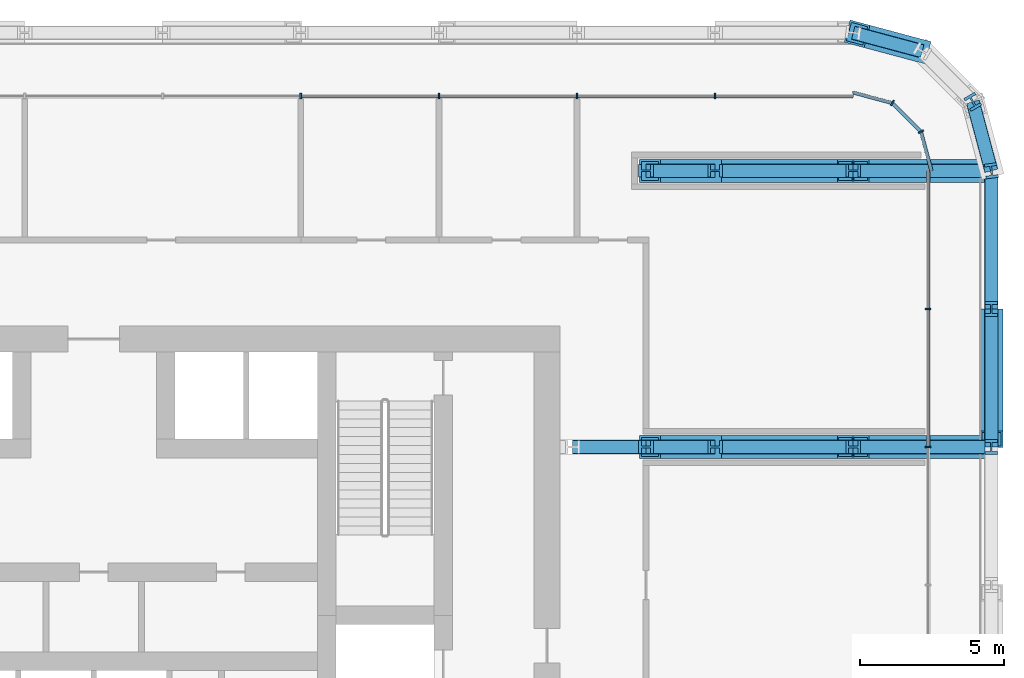
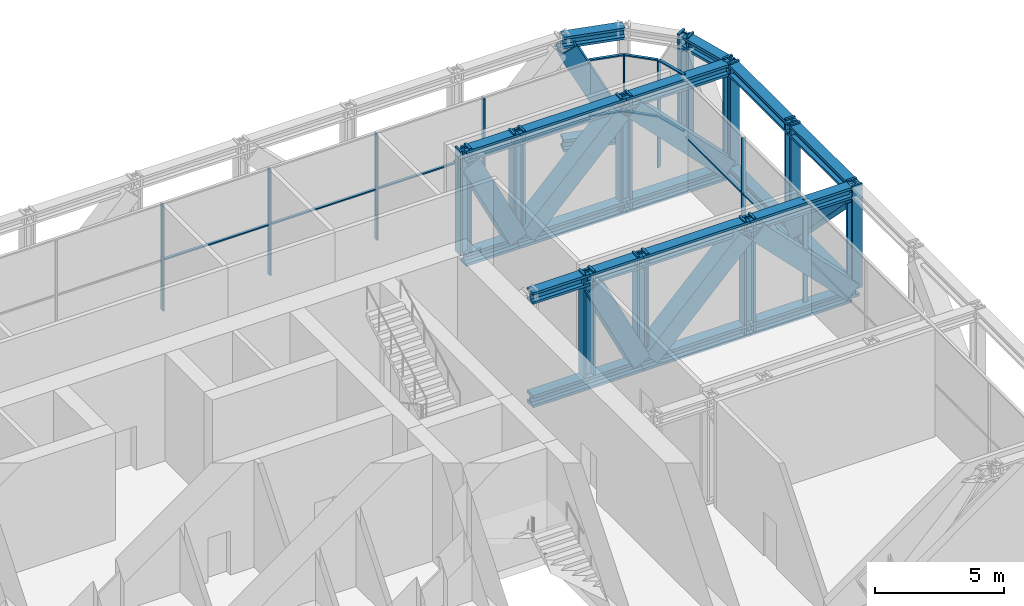
# One storey, part 16 of 30: 60 members, 3 elements without a shape of their own.
"""IFC4 building model written with IfcOpenShell, lengths in metres."""

from ifc_helpers import new_model, si_unit, direction, frame, origin, origin_2d, place, context, subcontext, project, spatial, rectangle, hollow_rectangle, i_section, extrude, material, layer, layer_set, material_profile, profile_set, type_object, element, aggregate, save


model = new_model("IFC4")

# Units and contexts
model_context = context("Model", 3, precision=1e-05, world=origin(), true_north=direction((0.0, 1.0)))
body_context = subcontext(model_context, "Body", "Model", "MODEL_VIEW")
ifc_project = project(units=[si_unit("LENGTHUNIT", "METRE"), si_unit("AREAUNIT", "SQUARE_METRE"), si_unit("VOLUMEUNIT", "CUBIC_METRE"), si_unit("PLANEANGLEUNIT", "RADIAN"), si_unit("MASSUNIT", "GRAM", prefix="KILO")], contexts=[model_context])

# Site, building, storey
site_placement = place(None, origin())
site = spatial("IfcSite", under=ifc_project, at=site_placement, CompositionType="ELEMENT")
building_placement = place(site_placement, origin())
building = spatial("IfcBuilding", under=site, at=building_placement, Name="Madar Terraces", CompositionType="ELEMENT")
storey_placement = place(building_placement, frame((0.0, 0.0, 53.89990234375)))
storey = spatial("IfcBuildingStorey", under=building, at=storey_placement, Name="L13", CompositionType="ELEMENT", Elevation=53.89990234375)

# Members
ifc_material_1 = material(Name="Steel ASTM A913 Grade 65", Category="steel")
ifc_material_profile_1 = material_profile(ifc_material_1, i_section(OverallWidth=0.472412109375, OverallDepth=0.5791015625, WebThickness=0.094970703125, FlangeThickness=0.130126953125, at=origin_2d()), Name="W14x808")
ifc_profile_set_1 = profile_set([ifc_material_profile_1], Name="Steel ASTM A913 Grade 65")
member_type_1 = type_object("IfcMemberType", Name="BC2 W14x808", PredefinedType="CHORD", material=ifc_profile_set_1)
member_1_placement = place(storey_placement, frame((62.39990234375, 33.60009765625, -0.13037109375), z_axis=(0.0, 1.0, 0.0), x_axis=(-1.0, 0.0, 0.0)))
element("IfcMember", 1, at=member_1_placement, inside=storey, type_object=member_type_1, Name="Exoskeleton truss ring bottom chord BC2", PredefinedType="CHORD", context=body_context, shape_type="SweptSolid", body=[
    extrude(i_section(OverallWidth=0.472412109375, OverallDepth=0.5791015625, WebThickness=0.094970703125, FlangeThickness=0.130126953125, at=origin_2d()), origin(), (0.0, 0.0, 1.0), 4.7998046875),
])
member_2_placement = place(storey_placement, frame((62.39990234375, 38.39990234375, -0.13037109375), z_axis=(0.0, 1.0, 0.0), x_axis=(-1.0, 0.0, 0.0)))
element("IfcMember", 2, at=member_2_placement, inside=storey, type_object=member_type_1, Name="Exoskeleton truss ring bottom chord BC2", PredefinedType="CHORD", context=body_context, shape_type="SweptSolid", body=[
    extrude(i_section(OverallWidth=0.472412109375, OverallDepth=0.5791015625, WebThickness=0.094970703125, FlangeThickness=0.130126953125, at=origin_2d()), origin(), (0.0, 0.0, 1.0), 4.800048828125),
])
member_3_placement = place(storey_placement, frame((62.39990234375, 43.199951171875, -0.13037109375), z_axis=(-0.258799930484, 0.965930947833, 0.0), x_axis=(-0.965930947833, -0.258799930484, 0.0)))
element("IfcMember", 3, at=member_3_placement, inside=storey, type_object=member_type_1, Name="Exoskeleton truss ring bottom chord BC2", PredefinedType="CHORD", context=body_context, shape_type="SweptSolid", body=[
    extrude(i_section(OverallWidth=0.472412109375, OverallDepth=0.5791015625, WebThickness=0.094970703125, FlangeThickness=0.130126953125, at=origin_2d()), origin(), (0.0, 0.0, 1.0), 2.48486328125),
])
member_4_placement = place(storey_placement, frame((60.0, 47.35693359375, -0.13037109375), z_axis=(-0.965924366126, 0.258824494443, 0.0), x_axis=(-0.258824494443, -0.965924366126, 0.0)))
element("IfcMember", 4, at=member_4_placement, inside=storey, type_object=member_type_1, Name="Exoskeleton truss ring bottom chord BC2", PredefinedType="CHORD", context=body_context, shape_type="SweptSolid", body=[
    extrude(i_section(OverallWidth=0.472412109375, OverallDepth=0.5791015625, WebThickness=0.094970703125, FlangeThickness=0.130126953125, at=origin_2d()), origin(), (0.0, 0.0, 1.0), 2.484619140625),
])
member_5_placement = place(storey_placement, frame((62.163818359375, 33.60009765625, -0.13037109375), z_axis=(-1.0, 0.0, 0.0), x_axis=(0.0, -1.0, 0.0)))
element("IfcMember", 5, at=member_5_placement, inside=storey, type_object=member_type_1, Name="Exoskeleton truss cross E33.6 bottom chord BC2", PredefinedType="CHORD", context=body_context, shape_type="SweptSolid", body=[
    extrude(i_section(OverallWidth=0.472412109375, OverallDepth=0.5791015625, WebThickness=0.094970703125, FlangeThickness=0.130126953125, at=origin_2d()), origin(), (0.0, 0.0, 1.0), 4.563720703125),
])
member_6_placement = place(storey_placement, frame((57.60009765625, 33.60009765625, -0.13037109375), z_axis=(-1.0, 0.0, 0.0), x_axis=(0.0, -1.0, 0.0)))
element("IfcMember", 6, at=member_6_placement, inside=storey, type_object=member_type_1, Name="Exoskeleton truss cross E33.6 bottom chord BC2", PredefinedType="CHORD", context=body_context, shape_type="SweptSolid", body=[
    extrude(i_section(OverallWidth=0.472412109375, OverallDepth=0.5791015625, WebThickness=0.094970703125, FlangeThickness=0.130126953125, at=origin_2d()), origin(), (0.0, 0.0, 1.0), 4.800048828125),
])
member_7_placement = place(storey_placement, frame((52.800048828125, 33.60009765625, -0.13037109375), z_axis=(-1.0, 0.0, 0.0), x_axis=(0.0, -1.0, 0.0)))
element("IfcMember", 7, at=member_7_placement, inside=storey, type_object=member_type_1, Name="Exoskeleton truss cross E33.6 bottom chord BC2", PredefinedType="CHORD", context=body_context, shape_type="SweptSolid", body=[
    extrude(i_section(OverallWidth=0.472412109375, OverallDepth=0.5791015625, WebThickness=0.094970703125, FlangeThickness=0.130126953125, at=origin_2d()), origin(), (0.0, 0.0, 1.0), 2.400146484375),
])
member_8_placement = place(storey_placement, frame((50.39990234375, 33.60009765625, -0.13037109375), z_axis=(-1.0, 0.0, 0.0), x_axis=(0.0, -1.0, 0.0)))
element("IfcMember", 8, at=member_8_placement, inside=storey, type_object=member_type_1, Name="Exoskeleton truss cross E33.6 bottom chord BC2", PredefinedType="CHORD", context=body_context, shape_type="SweptSolid", body=[
    extrude(i_section(OverallWidth=0.472412109375, OverallDepth=0.5791015625, WebThickness=0.094970703125, FlangeThickness=0.130126953125, at=origin_2d()), origin(), (0.0, 0.0, 1.0), 2.5498046875),
])
member_9_placement = place(storey_placement, frame((62.163818359375, 43.199951171875, -0.13037109375), z_axis=(-1.0, 0.0, 0.0), x_axis=(0.0, -1.0, 0.0)))
element("IfcMember", 9, at=member_9_placement, inside=storey, type_object=member_type_1, Name="Exoskeleton truss cross E43.2 bottom chord BC2", PredefinedType="CHORD", context=body_context, shape_type="SweptSolid", body=[
    extrude(i_section(OverallWidth=0.472412109375, OverallDepth=0.5791015625, WebThickness=0.094970703125, FlangeThickness=0.130126953125, at=origin_2d()), origin(), (0.0, 0.0, 1.0), 4.563720703125),
])
member_10_placement = place(storey_placement, frame((57.60009765625, 43.199951171875, -0.13037109375), z_axis=(-1.0, 0.0, 0.0), x_axis=(0.0, -1.0, 0.0)))
element("IfcMember", 10, at=member_10_placement, inside=storey, type_object=member_type_1, Name="Exoskeleton truss cross E43.2 bottom chord BC2", PredefinedType="CHORD", context=body_context, shape_type="SweptSolid", body=[
    extrude(i_section(OverallWidth=0.472412109375, OverallDepth=0.5791015625, WebThickness=0.094970703125, FlangeThickness=0.130126953125, at=origin_2d()), origin(), (0.0, 0.0, 1.0), 4.800048828125),
])
member_11_placement = place(storey_placement, frame((52.800048828125, 43.199951171875, -0.13037109375), z_axis=(-1.0, 0.0, 0.0), x_axis=(0.0, -1.0, 0.0)))
element("IfcMember", 11, at=member_11_placement, inside=storey, type_object=member_type_1, Name="Exoskeleton truss cross E43.2 bottom chord BC2", PredefinedType="CHORD", context=body_context, shape_type="SweptSolid", body=[
    extrude(i_section(OverallWidth=0.472412109375, OverallDepth=0.5791015625, WebThickness=0.094970703125, FlangeThickness=0.130126953125, at=origin_2d()), origin(), (0.0, 0.0, 1.0), 2.400146484375),
])

# Curtain wall, members
ifc_material_2 = material(Name="Glass, ceramic frit dark grey, with black aluminium frame", Category="aluminium")
ifc_layer = layer(ifc_material_2, 0.199951171875)
ifc_layer_set = layer_set([ifc_layer], Name="Facade curtain wall, tall glazing")
curtain_wall_type = type_object("IfcCurtainWallType", Name="Facade curtain wall, tall glazing", PredefinedType="NOTDEFINED", material=ifc_layer_set)
curtain_wall_1_placement = place(storey_placement, origin())
curtain_wall_1 = element("IfcCurtainWall", 12, at=curtain_wall_1_placement, inside=storey, type_object=curtain_wall_type, Name="Outer skin curtain wall east bay 1", PredefinedType="NOTDEFINED")
ifc_material_3 = material(Name="Aluminium, black anodised", Category="aluminium")
ifc_material_profile_2 = material_profile(ifc_material_3, rectangle(XDim=0.199951171875, YDim=0.06005859375, at=origin_2d()), Name="Facade mullion 60x200")
ifc_profile_set_2 = profile_set([ifc_material_profile_2], Name="Aluminium, black anodised")
member_type_2 = type_object("IfcMemberType", Name="Facade mullion 60x200", PredefinedType="MULLION", material=ifc_profile_set_2)
member_12_placement = place(storey_placement, frame((60.199951171875, 33.60009765625, 0.0), z_axis=(0.0, 0.0, 1.0), x_axis=(-1.0, 0.0, 0.0)))
member_12 = element("IfcMember", 13, at=member_12_placement, type_object=member_type_2, Name="Mullion 6", PredefinedType="MULLION", context=body_context, shape_type="SweptSolid", body=[
    extrude(rectangle(XDim=0.199951171875, YDim=0.06005859375, at=origin_2d()), origin(), (0.0, 0.0, 1.0), 5.0400390625),
])
member_13_placement = place(storey_placement, frame((60.199951171875, 38.39990234375, 0.0), z_axis=(0.0, 0.0, 1.0), x_axis=(-1.0, 0.0, 0.0)))
member_13 = element("IfcMember", 14, at=member_13_placement, type_object=member_type_2, Name="Mullion 7", PredefinedType="MULLION", context=body_context, shape_type="SweptSolid", body=[
    extrude(rectangle(XDim=0.199951171875, YDim=0.06005859375, at=origin_2d()), origin(), (0.0, 0.0, 1.0), 5.0400390625),
])

curtain_wall_2_placement = place(storey_placement, origin())
curtain_wall_2 = element("IfcCurtainWall", 15, at=curtain_wall_2_placement, inside=storey, type_object=curtain_wall_type, Name="Outer skin curtain wall north bay 1", PredefinedType="NOTDEFINED")
member_14_placement = place(storey_placement, frame((52.800048828125, 45.800048828125, 0.0), z_axis=(0.0, 0.0, 1.0), x_axis=(0.0, -1.0, 0.0)))
member_14 = element("IfcMember", 16, at=member_14_placement, type_object=member_type_2, Name="Mullion 1", PredefinedType="MULLION", context=body_context, shape_type="SweptSolid", body=[
    extrude(rectangle(XDim=0.199951171875, YDim=0.06005859375, at=origin_2d()), origin(), (0.0, 0.0, 1.0), 5.0400390625),
])
member_15_placement = place(storey_placement, frame((48.0, 45.800048828125, 0.0), z_axis=(0.0, 0.0, 1.0), x_axis=(0.0, -1.0, 0.0)))
member_15 = element("IfcMember", 17, at=member_15_placement, type_object=member_type_2, Name="Mullion 2", PredefinedType="MULLION", context=body_context, shape_type="SweptSolid", body=[
    extrude(rectangle(XDim=0.199951171875, YDim=0.06005859375, at=origin_2d()), origin(), (0.0, 0.0, 1.0), 5.0400390625),
])
member_16_placement = place(storey_placement, frame((43.199951171875, 45.800048828125, 0.0), z_axis=(0.0, 0.0, 1.0), x_axis=(0.0, -1.0, 0.0)))
member_16 = element("IfcMember", 18, at=member_16_placement, type_object=member_type_2, Name="Mullion 3", PredefinedType="MULLION", context=body_context, shape_type="SweptSolid", body=[
    extrude(rectangle(XDim=0.199951171875, YDim=0.06005859375, at=origin_2d()), origin(), (0.0, 0.0, 1.0), 5.0400390625),
])
member_17_placement = place(storey_placement, frame((38.39990234375, 45.800048828125, 0.0), z_axis=(0.0, 0.0, 1.0), x_axis=(0.0, -1.0, 0.0)))
member_17 = element("IfcMember", 19, at=member_17_placement, type_object=member_type_2, Name="Mullion 4", PredefinedType="MULLION", context=body_context, shape_type="SweptSolid", body=[
    extrude(rectangle(XDim=0.199951171875, YDim=0.06005859375, at=origin_2d()), origin(), (0.0, 0.0, 1.0), 5.0400390625),
])

curtain_wall_3_placement = place(storey_placement, origin())
curtain_wall_3 = element("IfcCurtainWall", 20, at=curtain_wall_3_placement, inside=storey, type_object=curtain_wall_type, Name="Outer skin curtain wall north-east corner", PredefinedType="NOTDEFINED")
member_18_placement = place(storey_placement, frame((59.95556640625, 44.56005859375, 0.0), z_axis=(0.0, 0.0, 1.0), x_axis=(-0.866025386925, -0.500000029202, 0.0)))
member_18 = element("IfcMember", 21, at=member_18_placement, type_object=member_type_2, Name="Mullion 1", PredefinedType="MULLION", context=body_context, shape_type="SweptSolid", body=[
    extrude(rectangle(XDim=0.199951171875, YDim=0.06005859375, at=origin_2d()), origin(), (0.0, 0.0, 1.0), 5.0400390625),
])
member_19_placement = place(storey_placement, frame((58.9599609375, 45.5556640625, 0.0), z_axis=(0.0, 0.0, 1.0), x_axis=(-0.500000029202, -0.866025386925, 0.0)))
member_19 = element("IfcMember", 22, at=member_19_placement, type_object=member_type_2, Name="Mullion 2", PredefinedType="MULLION", context=body_context, shape_type="SweptSolid", body=[
    extrude(rectangle(XDim=0.199951171875, YDim=0.06005859375, at=origin_2d()), origin(), (0.0, 0.0, 1.0), 5.0400390625),
])

# Member
ifc_material_4 = material(Name="Aluminium, black anodised", Category="aluminium")
ifc_material_profile_3 = material_profile(ifc_material_4, rectangle(XDim=0.1201171875, YDim=0.06005859375, at=origin_2d()), Name="Facade transom 60x120")
ifc_profile_set_3 = profile_set([ifc_material_profile_3], Name="Aluminium, black anodised")
member_type_3 = type_object("IfcMemberType", Name="Facade transom 60x120", PredefinedType="USERDEFINED", material=ifc_profile_set_3)
member_20_placement = place(storey_placement, frame((60.199951171875, 33.6298828125, 2.400146484375), z_axis=(0.0, 1.0, 0.0), x_axis=(-1.0, 0.0, 0.0)))
member_20 = element("IfcMember", 23, at=member_20_placement, type_object=member_type_3, Name="Transom 8", ObjectType="TRANSOM", PredefinedType="USERDEFINED", context=body_context, shape_type="SweptSolid", body=[
    extrude(rectangle(XDim=0.1201171875, YDim=0.06005859375, at=origin_2d()), origin(), (0.0, 0.0, 1.0), 4.740234375),
])

member_21_placement = place(storey_placement, frame((60.199951171875, 38.429931640625, 2.400146484375), z_axis=(0.0, 1.0, 0.0), x_axis=(-1.0, 0.0, 0.0)))
member_21 = element("IfcMember", 24, at=member_21_placement, type_object=member_type_3, Name="Transom 9", ObjectType="TRANSOM", PredefinedType="USERDEFINED", context=body_context, shape_type="SweptSolid", body=[
    extrude(rectangle(XDim=0.1201171875, YDim=0.06005859375, at=origin_2d()), origin(), (0.0, 0.0, 1.0), 4.77001953125),
])

aggregate(curtain_wall_1, [member_12, member_13, member_20, member_21])

member_22_placement = place(storey_placement, frame((57.60009765625, 45.800048828125, 2.400146484375), z_axis=(-1.0, 0.0, 0.0), x_axis=(0.0, -1.0, 0.0)))
member_22 = element("IfcMember", 25, at=member_22_placement, type_object=member_type_3, Name="Transom 2", ObjectType="TRANSOM", PredefinedType="USERDEFINED", context=body_context, shape_type="SweptSolid", body=[
    extrude(rectangle(XDim=0.1201171875, YDim=0.06005859375, at=origin_2d()), origin(), (0.0, 0.0, 1.0), 4.77001953125),
])

member_23_placement = place(storey_placement, frame((52.77001953125, 45.800048828125, 2.400146484375), z_axis=(-1.0, 0.0, 0.0), x_axis=(0.0, -1.0, 0.0)))
member_23 = element("IfcMember", 26, at=member_23_placement, type_object=member_type_3, Name="Transom 3", ObjectType="TRANSOM", PredefinedType="USERDEFINED", context=body_context, shape_type="SweptSolid", body=[
    extrude(rectangle(XDim=0.1201171875, YDim=0.06005859375, at=origin_2d()), origin(), (0.0, 0.0, 1.0), 4.739990234375),
])

member_24_placement = place(storey_placement, frame((47.969970703125, 45.800048828125, 2.400146484375), z_axis=(-1.0, 0.0, 0.0), x_axis=(0.0, -1.0, 0.0)))
member_24 = element("IfcMember", 27, at=member_24_placement, type_object=member_type_3, Name="Transom 4", ObjectType="TRANSOM", PredefinedType="USERDEFINED", context=body_context, shape_type="SweptSolid", body=[
    extrude(rectangle(XDim=0.1201171875, YDim=0.06005859375, at=origin_2d()), origin(), (0.0, 0.0, 1.0), 4.739990234375),
])

member_25_placement = place(storey_placement, frame((43.169921875, 45.800048828125, 2.400146484375), z_axis=(-1.0, 0.0, 0.0), x_axis=(0.0, -1.0, 0.0)))
member_25 = element("IfcMember", 28, at=member_25_placement, type_object=member_type_3, Name="Transom 5", ObjectType="TRANSOM", PredefinedType="USERDEFINED", context=body_context, shape_type="SweptSolid", body=[
    extrude(rectangle(XDim=0.1201171875, YDim=0.06005859375, at=origin_2d()), origin(), (0.0, 0.0, 1.0), 4.739990234375),
])

aggregate(curtain_wall_2, [member_14, member_15, member_16, member_17, member_22, member_23, member_24, member_25])

member_26_placement = place(storey_placement, frame((60.320068359375, 43.199951171875, 5.070068359375), z_axis=(-0.258842352791, 0.965919580711, 0.0), x_axis=(-0.965919580711, -0.258842352791, 0.0)))
member_26 = element("IfcMember", 29, at=member_26_placement, type_object=member_type_3, Name="Transom 1", ObjectType="TRANSOM", PredefinedType="USERDEFINED", context=body_context, shape_type="SweptSolid", body=[
    extrude(rectangle(XDim=0.1201171875, YDim=0.06005859375, at=origin_2d()), origin(), (0.0, 0.0, 1.0), 1.3779296875),
])

member_27_placement = place(storey_placement, frame((60.320068359375, 43.199951171875, 2.400146484375), z_axis=(-0.258842352791, 0.965919580711, 0.0), x_axis=(-0.965919580711, -0.258842352791, 0.0)))
member_27 = element("IfcMember", 30, at=member_27_placement, type_object=member_type_3, Name="Transom 2", ObjectType="TRANSOM", PredefinedType="USERDEFINED", context=body_context, shape_type="SweptSolid", body=[
    extrude(rectangle(XDim=0.1201171875, YDim=0.06005859375, at=origin_2d()), origin(), (0.0, 0.0, 1.0), 1.3779296875),
])

member_28_placement = place(storey_placement, frame((59.934326171875, 44.581298828125, 5.070068359375), z_axis=(-0.707106781187, 0.707106781187, 0.0), x_axis=(-0.707106781187, -0.707106781187, 0.0)))
member_28 = element("IfcMember", 31, at=member_28_placement, type_object=member_type_3, Name="Transom 3", ObjectType="TRANSOM", PredefinedType="USERDEFINED", context=body_context, shape_type="SweptSolid", body=[
    extrude(rectangle(XDim=0.1201171875, YDim=0.06005859375, at=origin_2d()), origin(), (0.0, 0.0, 1.0), 1.347900390625),
])

member_29_placement = place(storey_placement, frame((59.934326171875, 44.581298828125, 2.400146484375), z_axis=(-0.707106781187, 0.707106781187, 0.0), x_axis=(-0.707106781187, -0.707106781187, 0.0)))
member_29 = element("IfcMember", 32, at=member_29_placement, type_object=member_type_3, Name="Transom 4", ObjectType="TRANSOM", PredefinedType="USERDEFINED", context=body_context, shape_type="SweptSolid", body=[
    extrude(rectangle(XDim=0.1201171875, YDim=0.06005859375, at=origin_2d()), origin(), (0.0, 0.0, 1.0), 1.347900390625),
])

member_30_placement = place(storey_placement, frame((58.930908203125, 45.563232421875, 5.070068359375), z_axis=(-0.965907707525, 0.258886655787, 0.0), x_axis=(-0.258886655787, -0.965907707525, 0.0)))
member_30 = element("IfcMember", 33, at=member_30_placement, type_object=member_type_3, Name="Transom 5", ObjectType="TRANSOM", PredefinedType="USERDEFINED", context=body_context, shape_type="SweptSolid", body=[
    extrude(rectangle(XDim=0.1201171875, YDim=0.06005859375, at=origin_2d()), origin(), (0.0, 0.0, 1.0), 1.377685546875),
])

member_31_placement = place(storey_placement, frame((58.930908203125, 45.563232421875, 2.400146484375), z_axis=(-0.965907707525, 0.258886655787, 0.0), x_axis=(-0.258886655787, -0.965907707525, 0.0)))
member_31 = element("IfcMember", 34, at=member_31_placement, type_object=member_type_3, Name="Transom 6", ObjectType="TRANSOM", PredefinedType="USERDEFINED", context=body_context, shape_type="SweptSolid", body=[
    extrude(rectangle(XDim=0.1201171875, YDim=0.06005859375, at=origin_2d()), origin(), (0.0, 0.0, 1.0), 1.377685546875),
])

aggregate(curtain_wall_3, [member_18, member_26, member_27, member_19, member_28, member_29, member_30, member_31])

# Members
ifc_material_5 = material(Name="Steel ASTM A913 Grade 65", Category="steel")
ifc_material_profile_4 = material_profile(ifc_material_5, i_section(OverallWidth=0.449462890625, OverallDepth=0.548583984375, WebThickness=0.07177734375, FlangeThickness=0.11474609375, at=origin_2d()), Name="W14x665")
ifc_profile_set_4 = profile_set([ifc_material_profile_4], Name="Steel ASTM A913 Grade 65")
member_type_4 = type_object("IfcMemberType", Name="TC2 W14x665", PredefinedType="CHORD", material=ifc_profile_set_4)
member_32_placement = place(storey_placement, frame((62.39990234375, 33.60009765625, 4.755859375), z_axis=(0.0, 1.0, 0.0), x_axis=(-1.0, 0.0, 0.0)))
element("IfcMember", 35, at=member_32_placement, inside=storey, type_object=member_type_4, Name="Exoskeleton truss ring top chord TC2", PredefinedType="CHORD", context=body_context, shape_type="SweptSolid", body=[
    extrude(i_section(OverallWidth=0.449462890625, OverallDepth=0.548583984375, WebThickness=0.07177734375, FlangeThickness=0.11474609375, at=origin_2d()), origin(), (0.0, 0.0, 1.0), 4.7998046875),
])
member_33_placement = place(storey_placement, frame((62.39990234375, 38.39990234375, 4.755859375), z_axis=(0.0, 1.0, 0.0), x_axis=(-1.0, 0.0, 0.0)))
element("IfcMember", 36, at=member_33_placement, inside=storey, type_object=member_type_4, Name="Exoskeleton truss ring top chord TC2", PredefinedType="CHORD", context=body_context, shape_type="SweptSolid", body=[
    extrude(i_section(OverallWidth=0.449462890625, OverallDepth=0.548583984375, WebThickness=0.07177734375, FlangeThickness=0.11474609375, at=origin_2d()), origin(), (0.0, 0.0, 1.0), 4.800048828125),
])
member_34_placement = place(storey_placement, frame((62.39990234375, 43.199951171875, 4.755859375), z_axis=(-0.258799930484, 0.965930947833, 0.0), x_axis=(-0.965930947833, -0.258799930484, 0.0)))
element("IfcMember", 37, at=member_34_placement, inside=storey, type_object=member_type_4, Name="Exoskeleton truss ring top chord TC2", PredefinedType="CHORD", context=body_context, shape_type="SweptSolid", body=[
    extrude(i_section(OverallWidth=0.449462890625, OverallDepth=0.548583984375, WebThickness=0.07177734375, FlangeThickness=0.11474609375, at=origin_2d()), origin(), (0.0, 0.0, 1.0), 2.48486328125),
])
member_35_placement = place(storey_placement, frame((60.0, 47.35693359375, 4.755859375), z_axis=(-0.965924366126, 0.258824494443, 0.0), x_axis=(-0.258824494443, -0.965924366126, 0.0)))
element("IfcMember", 38, at=member_35_placement, inside=storey, type_object=member_type_4, Name="Exoskeleton truss ring top chord TC2", PredefinedType="CHORD", context=body_context, shape_type="SweptSolid", body=[
    extrude(i_section(OverallWidth=0.449462890625, OverallDepth=0.548583984375, WebThickness=0.07177734375, FlangeThickness=0.11474609375, at=origin_2d()), origin(), (0.0, 0.0, 1.0), 2.484619140625),
])
member_36_placement = place(storey_placement, frame((62.17529296875, 33.60009765625, 4.755859375), z_axis=(-1.0, 0.0, 0.0), x_axis=(0.0, -1.0, 0.0)))
element("IfcMember", 39, at=member_36_placement, inside=storey, type_object=member_type_4, Name="Exoskeleton truss cross E33.6 top chord TC2", PredefinedType="CHORD", context=body_context, shape_type="SweptSolid", body=[
    extrude(i_section(OverallWidth=0.449462890625, OverallDepth=0.548583984375, WebThickness=0.07177734375, FlangeThickness=0.11474609375, at=origin_2d()), origin(), (0.0, 0.0, 1.0), 4.5751953125),
])
member_37_placement = place(storey_placement, frame((57.60009765625, 33.60009765625, 4.755859375), z_axis=(-1.0, 0.0, 0.0), x_axis=(0.0, -1.0, 0.0)))
element("IfcMember", 40, at=member_37_placement, inside=storey, type_object=member_type_4, Name="Exoskeleton truss cross E33.6 top chord TC2", PredefinedType="CHORD", context=body_context, shape_type="SweptSolid", body=[
    extrude(i_section(OverallWidth=0.449462890625, OverallDepth=0.548583984375, WebThickness=0.07177734375, FlangeThickness=0.11474609375, at=origin_2d()), origin(), (0.0, 0.0, 1.0), 4.800048828125),
])
member_38_placement = place(storey_placement, frame((52.800048828125, 33.60009765625, 4.755859375), z_axis=(-1.0, 0.0, 0.0), x_axis=(0.0, -1.0, 0.0)))
element("IfcMember", 41, at=member_38_placement, inside=storey, type_object=member_type_4, Name="Exoskeleton truss cross E33.6 top chord TC2", PredefinedType="CHORD", context=body_context, shape_type="SweptSolid", body=[
    extrude(i_section(OverallWidth=0.449462890625, OverallDepth=0.548583984375, WebThickness=0.07177734375, FlangeThickness=0.11474609375, at=origin_2d()), origin(), (0.0, 0.0, 1.0), 2.400146484375),
])
member_39_placement = place(storey_placement, frame((50.39990234375, 33.60009765625, 4.755859375), z_axis=(-1.0, 0.0, 0.0), x_axis=(0.0, -1.0, 0.0)))
element("IfcMember", 42, at=member_39_placement, inside=storey, type_object=member_type_4, Name="Exoskeleton truss cross E33.6 top chord TC2", PredefinedType="CHORD", context=body_context, shape_type="SweptSolid", body=[
    extrude(i_section(OverallWidth=0.449462890625, OverallDepth=0.548583984375, WebThickness=0.07177734375, FlangeThickness=0.11474609375, at=origin_2d()), origin(), (0.0, 0.0, 1.0), 2.5498046875),
])
member_40_placement = place(storey_placement, frame((62.17529296875, 43.199951171875, 4.755859375), z_axis=(-1.0, 0.0, 0.0), x_axis=(0.0, -1.0, 0.0)))
element("IfcMember", 43, at=member_40_placement, inside=storey, type_object=member_type_4, Name="Exoskeleton truss cross E43.2 top chord TC2", PredefinedType="CHORD", context=body_context, shape_type="SweptSolid", body=[
    extrude(i_section(OverallWidth=0.449462890625, OverallDepth=0.548583984375, WebThickness=0.07177734375, FlangeThickness=0.11474609375, at=origin_2d()), origin(), (0.0, 0.0, 1.0), 4.5751953125),
])
member_41_placement = place(storey_placement, frame((57.60009765625, 43.199951171875, 4.755859375), z_axis=(-1.0, 0.0, 0.0), x_axis=(0.0, -1.0, 0.0)))
element("IfcMember", 44, at=member_41_placement, inside=storey, type_object=member_type_4, Name="Exoskeleton truss cross E43.2 top chord TC2", PredefinedType="CHORD", context=body_context, shape_type="SweptSolid", body=[
    extrude(i_section(OverallWidth=0.449462890625, OverallDepth=0.548583984375, WebThickness=0.07177734375, FlangeThickness=0.11474609375, at=origin_2d()), origin(), (0.0, 0.0, 1.0), 4.800048828125),
])
member_42_placement = place(storey_placement, frame((52.800048828125, 43.199951171875, 4.755859375), z_axis=(-1.0, 0.0, 0.0), x_axis=(0.0, -1.0, 0.0)))
element("IfcMember", 45, at=member_42_placement, inside=storey, type_object=member_type_4, Name="Exoskeleton truss cross E43.2 top chord TC2", PredefinedType="CHORD", context=body_context, shape_type="SweptSolid", body=[
    extrude(i_section(OverallWidth=0.449462890625, OverallDepth=0.548583984375, WebThickness=0.07177734375, FlangeThickness=0.11474609375, at=origin_2d()), origin(), (0.0, 0.0, 1.0), 2.400146484375),
])
ifc_material_6 = material(Name="Steel ASTM A572 Grade 50", Category="steel")
ifc_material_profile_5 = material_profile(ifc_material_6, hollow_rectangle(XDim=0.800048828125, YDim=0.800048828125, WallThickness=0.070068359375, at=origin_2d()), Name="BOX800x800x70")
ifc_profile_set_5 = profile_set([ifc_material_profile_5], Name="Steel ASTM A572 Grade 50")
member_type_5 = type_object("IfcMemberType", Name="TD2 BOX800x800x70", PredefinedType="BRACE", material=ifc_profile_set_5)
member_43_placement = place(storey_placement, frame((62.39990234375, 33.869384765625, 4.4814453125), z_axis=(0.0, 0.700792979798, -0.713364702986), x_axis=(-1.0, 0.0, 0.0)))
element("IfcMember", 46, at=member_43_placement, inside=storey, type_object=member_type_5, Name="Exoskeleton truss ring diagonal TD2", PredefinedType="BRACE", context=body_context, shape_type="SweptSolid", body=[
    extrude(hollow_rectangle(XDim=0.800048828125, YDim=0.800048828125, WallThickness=0.070068359375, at=origin_2d()), origin(), (0.0, 0.0, 1.0), 6.05908203125),
])
member_44_placement = place(storey_placement, frame((59.857666015625, 47.39501953125, 0.1591796875), z_axis=(-0.437790317205, 0.117314714099, 0.891390428498), x_axis=(-0.258837885275, -0.965920777883, 0.0)))
element("IfcMember", 47, at=member_44_placement, inside=storey, type_object=member_type_5, Name="Exoskeleton truss ring diagonal TD2", PredefinedType="BRACE", context=body_context, shape_type="SweptSolid", body=[
    extrude(hollow_rectangle(XDim=0.800048828125, YDim=0.800048828125, WallThickness=0.070068359375, at=origin_2d()), origin(), (0.0, 0.0, 1.0), 4.848876953125),
])
for number, where, z_axis, x_axis, name in (
    (48, (62.115478515625, 33.60009765625, 0.1591796875), (-0.700792979798, 0.0, 0.713364702986), (0.0, -1.0, 0.0), "Exoskeleton truss cross E33.6 diagonal TD2"),
    (49, (57.33056640625, 33.60009765625, 4.4814453125), (-0.700792979798, 0.0, -0.713364702986), (0.0, -1.0, 0.0), "Exoskeleton truss cross E33.6 diagonal TD2"),
):
    element("IfcMember", number, at=place(storey_placement, frame(where, z_axis=z_axis, x_axis=x_axis)), inside=storey, type_object=member_type_5, Name=name, PredefinedType="BRACE", context=body_context, shape_type="SweptSolid", body=[
        extrude(hollow_rectangle(XDim=0.800048828125, YDim=0.800048828125, WallThickness=0.070068359375, at=origin_2d()), origin(), (0.0, 0.0, 1.0), 6.05908203125),
    ])
member_45_placement = place(storey_placement, frame((52.65771484375, 33.60009765625, 0.1591796875), z_axis=(-0.440875217674, 0.0, 0.897568405438), x_axis=(0.0, -1.0, 0.0)))
element("IfcMember", 50, at=member_45_placement, inside=storey, type_object=member_type_5, Name="Exoskeleton truss cross E33.6 diagonal TD2", PredefinedType="BRACE", context=body_context, shape_type="SweptSolid", body=[
    extrude(hollow_rectangle(XDim=0.800048828125, YDim=0.800048828125, WallThickness=0.070068359375, at=origin_2d()), origin(), (0.0, 0.0, 1.0), 4.8154296875),
])
for number, where, z_axis, x_axis, name in (
    (51, (62.115478515625, 43.199951171875, 0.1591796875), (-0.700792979798, 0.0, 0.713364702986), (0.0, -1.0, 0.0), "Exoskeleton truss cross E43.2 diagonal TD2"),
    (52, (57.33056640625, 43.199951171875, 4.4814453125), (-0.700792979798, 0.0, -0.713364702986), (0.0, -1.0, 0.0), "Exoskeleton truss cross E43.2 diagonal TD2"),
):
    element("IfcMember", number, at=place(storey_placement, frame(where, z_axis=z_axis, x_axis=x_axis)), inside=storey, type_object=member_type_5, Name=name, PredefinedType="BRACE", context=body_context, shape_type="SweptSolid", body=[
        extrude(hollow_rectangle(XDim=0.800048828125, YDim=0.800048828125, WallThickness=0.070068359375, at=origin_2d()), origin(), (0.0, 0.0, 1.0), 6.05908203125),
    ])
member_46_placement = place(storey_placement, frame((52.65771484375, 43.199951171875, 0.1591796875), z_axis=(-0.440875217674, 0.0, 0.897568405438), x_axis=(0.0, -1.0, 0.0)))
element("IfcMember", 53, at=member_46_placement, inside=storey, type_object=member_type_5, Name="Exoskeleton truss cross E43.2 diagonal TD2", PredefinedType="BRACE", context=body_context, shape_type="SweptSolid", body=[
    extrude(hollow_rectangle(XDim=0.800048828125, YDim=0.800048828125, WallThickness=0.070068359375, at=origin_2d()), origin(), (0.0, 0.0, 1.0), 4.8154296875),
])
ifc_material_7 = material(Name="Steel ASTM A913 Grade 65", Category="steel")
ifc_material_profile_6 = material_profile(ifc_material_7, i_section(OverallWidth=0.436767578125, OverallDepth=0.51318359375, WebThickness=0.060546875, FlangeThickness=0.096923828125, at=origin_2d()), Name="W14x550")
ifc_profile_set_6 = profile_set([ifc_material_profile_6], Name="Steel ASTM A913 Grade 65")
member_type_6 = type_object("IfcMemberType", Name="TV2 W14x550", PredefinedType="POST", material=ifc_profile_set_6)
for number, where, z_axis, x_axis, name in (
    (54, (62.39990234375, 33.60009765625, 0.1591796875), (0.0, 0.0, 1.0), (-1.0, 0.0, 0.0), "Exoskeleton truss ring post TV2"),
    (55, (62.39990234375, 38.39990234375, 0.1591796875), (0.0, 0.0, 1.0), (-1.0, 0.0, 0.0), "Exoskeleton truss ring post TV2"),
    (56, (62.39990234375, 43.199951171875, 0.1591796875), (0.0, 0.0, 1.0), (-0.991444863652, -0.130526174916, 0.0), "Exoskeleton truss ring post TV2"),
    (57, (61.7568359375, 45.60009765625, 0.1591796875), (0.0, 0.0, 1.0), (-0.866025412511, -0.499999984885, 0.0), "Exoskeleton truss ring post TV2"),
):
    element("IfcMember", number, at=place(storey_placement, frame(where, z_axis=z_axis, x_axis=x_axis)), inside=storey, type_object=member_type_6, Name=name, PredefinedType="POST", context=body_context, shape_type="SweptSolid", body=[
        extrude(i_section(OverallWidth=0.436767578125, OverallDepth=0.51318359375, WebThickness=0.060546875, FlangeThickness=0.096923828125, at=origin_2d()), origin(), (0.0, 0.0, 1.0), 4.94091796875),
    ])
member_47_placement = place(storey_placement, frame((57.60009765625, 33.60009765625, -0.419921875), z_axis=(0.0, 0.0, 1.0), x_axis=(0.0, 1.0, 0.0)))
element("IfcMember", 58, at=member_47_placement, inside=storey, type_object=member_type_6, Name="Exoskeleton truss cross E33.6 post TV2", PredefinedType="POST", context=body_context, shape_type="SweptSolid", body=[
    extrude(i_section(OverallWidth=0.436767578125, OverallDepth=0.51318359375, WebThickness=0.060546875, FlangeThickness=0.096923828125, at=origin_2d()), origin(), (0.0, 0.0, 1.0), 5.52001953125),
])
for number, where, z_axis, x_axis, name in (
    (59, (52.800048828125, 33.60009765625, 0.1591796875), (0.0, 0.0, 1.0), (0.0, 1.0, 0.0), "Exoskeleton truss cross E33.6 post TV2"),
    (60, (50.39990234375, 33.60009765625, 0.1591796875), (0.0, 0.0, 1.0), (0.0, 1.0, 0.0), "Exoskeleton truss cross E33.6 post TV2"),
):
    element("IfcMember", number, at=place(storey_placement, frame(where, z_axis=z_axis, x_axis=x_axis)), inside=storey, type_object=member_type_6, Name=name, PredefinedType="POST", context=body_context, shape_type="SweptSolid", body=[
        extrude(i_section(OverallWidth=0.436767578125, OverallDepth=0.51318359375, WebThickness=0.060546875, FlangeThickness=0.096923828125, at=origin_2d()), origin(), (0.0, 0.0, 1.0), 4.94091796875),
    ])
member_48_placement = place(storey_placement, frame((57.60009765625, 43.199951171875, -0.419921875), z_axis=(0.0, 0.0, 1.0), x_axis=(0.0, 1.0, 0.0)))
element("IfcMember", 61, at=member_48_placement, inside=storey, type_object=member_type_6, Name="Exoskeleton truss cross E43.2 post TV2", PredefinedType="POST", context=body_context, shape_type="SweptSolid", body=[
    extrude(i_section(OverallWidth=0.436767578125, OverallDepth=0.51318359375, WebThickness=0.060546875, FlangeThickness=0.096923828125, at=origin_2d()), origin(), (0.0, 0.0, 1.0), 5.52001953125),
])
for number, where, z_axis, x_axis, name in (
    (62, (52.800048828125, 43.199951171875, 0.1591796875), (0.0, 0.0, 1.0), (0.0, 1.0, 0.0), "Exoskeleton truss cross E43.2 post TV2"),
    (63, (50.39990234375, 43.199951171875, 0.1591796875), (0.0, 0.0, 1.0), (0.0, 1.0, 0.0), "Exoskeleton truss cross E43.2 post TV2"),
):
    element("IfcMember", number, at=place(storey_placement, frame(where, z_axis=z_axis, x_axis=x_axis)), inside=storey, type_object=member_type_6, Name=name, PredefinedType="POST", context=body_context, shape_type="SweptSolid", body=[
        extrude(i_section(OverallWidth=0.436767578125, OverallDepth=0.51318359375, WebThickness=0.060546875, FlangeThickness=0.096923828125, at=origin_2d()), origin(), (0.0, 0.0, 1.0), 4.94091796875),
    ])

save(model, "model.ifc")
